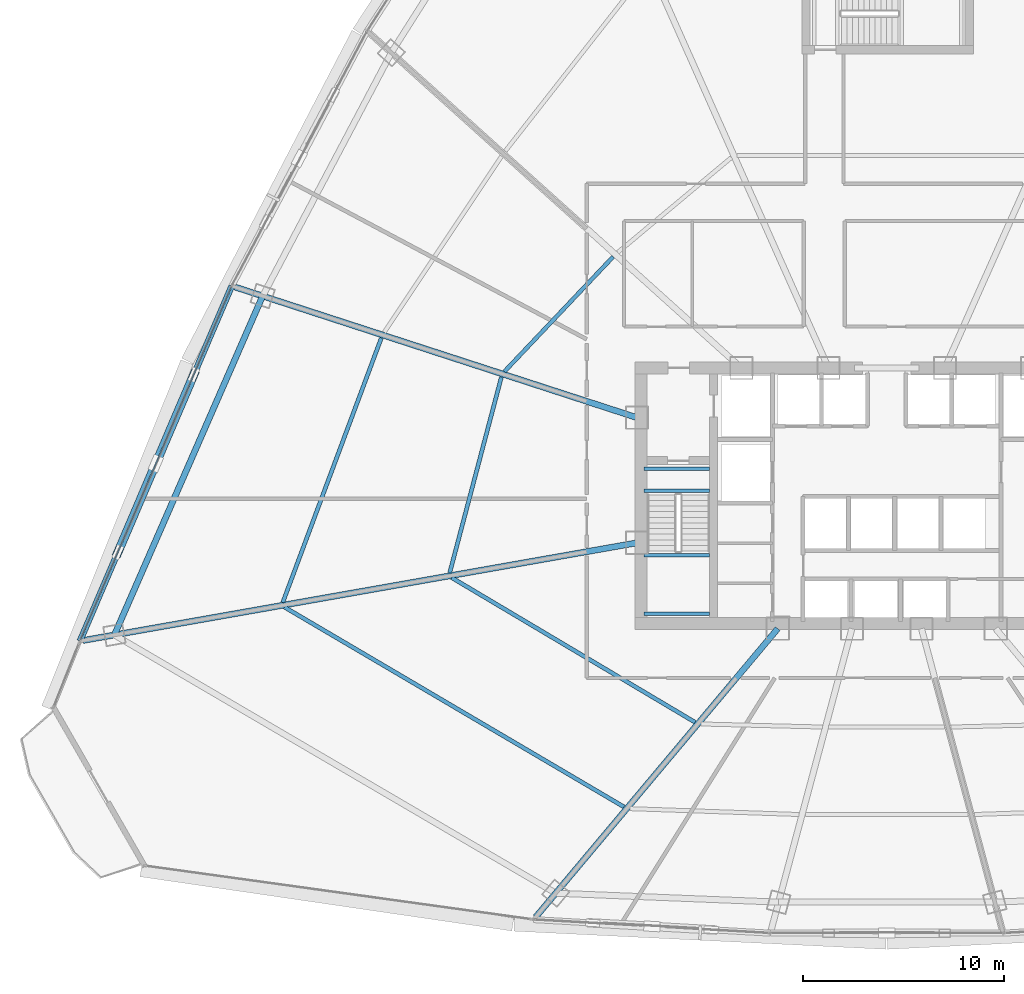
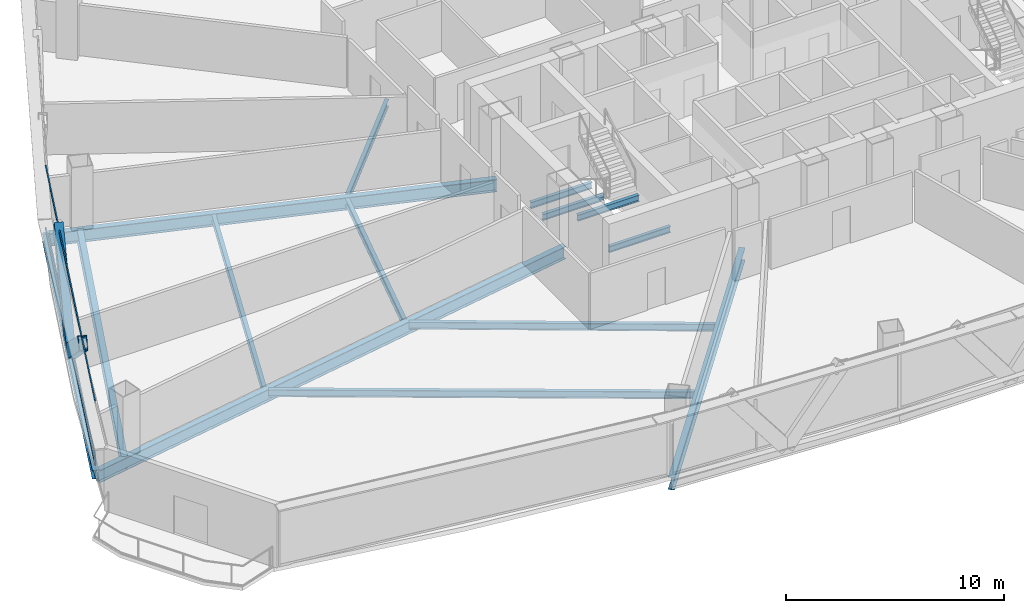
# One storey, part 7 of 36: 14 beams, 4 members, 1 element without a shape of its own.
"""IFC4 building model written with IfcOpenShell, lengths in metres."""

from ifc_helpers import new_model, si_unit, direction, frame, origin, origin_2d, place, context, subcontext, project, spatial, hollow_rectangle, i_section, extrude, source, transform, mapped, material, layer, layer_set, material_profile, profile_set, type_object, element, aggregate, save


model = new_model("IFC4")

# Units and contexts
model_context = context("Model", 3, precision=1e-05, world=origin(), true_north=direction((0.0, 1.0)))
body_context = subcontext(model_context, "Body", "Model", "MODEL_VIEW")
ifc_project = project(units=[si_unit("LENGTHUNIT", "METRE"), si_unit("AREAUNIT", "SQUARE_METRE"), si_unit("VOLUMEUNIT", "CUBIC_METRE"), si_unit("PLANEANGLEUNIT", "RADIAN"), si_unit("MASSUNIT", "GRAM", prefix="KILO"), si_unit("THERMODYNAMICTEMPERATUREUNIT", "KELVIN"), si_unit("POWERUNIT", "WATT")], contexts=[model_context])

# Site, building, storey
site_placement = place(None, origin())
site = spatial("IfcSite", under=ifc_project, at=site_placement, CompositionType="ELEMENT")
building_placement = place(site_placement, origin())
building = spatial("IfcBuilding", under=site, at=building_placement, Name="Yunzhuo Pagoda Commons", CompositionType="ELEMENT")
storey_placement = place(building_placement, frame((0.0, 0.0, 103.97998046875)))
storey = spatial("IfcBuildingStorey", under=building, at=storey_placement, Name="L26", CompositionType="ELEMENT", Elevation=103.97998046875)

# Beams
ifc_material_1 = material(Name="Structural steel Q355B", Category="steel")
ifc_material_profile_1 = material_profile(ifc_material_1, i_section(OverallWidth=0.175048828125, OverallDepth=0.35009765625, WebThickness=0.007080078125, FlangeThickness=0.010986328125, at=origin_2d()), Name="Structural steel Q355B")
ifc_profile_set_1 = profile_set([ifc_material_profile_1], Name="Structural steel Q355B")
beam_type_1 = type_object("IfcBeamType", Name="B-JS2 Joist HN 350x175x7x11", PredefinedType="JOIST", material=ifc_profile_set_1)
shared_shape_1 = source(origin(), body_context, "Body", "SweptSolid", [
    extrude(i_section(OverallWidth=0.175048828125, OverallDepth=0.35009765625, WebThickness=0.007080078125, FlangeThickness=0.010986328125, at=origin_2d()), origin(), (0.0, 0.0, 1.0), 3.25),
])
for number, where, z_axis, x_axis, name in (
    (1, (35.949951171875, 28.0, 1.52490234375), (1.0, 0.0, 0.0), (0.0, 1.0, 0.0), "L26 ST1 landing support beam 32A"),
    (2, (35.949951171875, 30.89990234375, 1.52490234375), (1.0, 0.0, 0.0), (0.0, 1.0, 0.0), "L26 ST1 landing support beam 32B"),
    (3, (35.949951171875, 34.10009765625, -0.374755859375), (1.0, 0.0, 0.0), (0.0, 1.0, 0.0), "L26 ST1 landing support beam 130A"),
    (4, (35.949951171875, 35.199951171875, -0.374755859375), (1.0, 0.0, 0.0), (0.0, 1.0, 0.0), "L26 ST1 landing support beam 130B"),
):
    element("IfcBeam", number, at=place(storey_placement, frame(where, z_axis=z_axis, x_axis=x_axis)), inside=storey, type_object=beam_type_1, Name=name, PredefinedType="JOIST", context=body_context, shape_type="MappedRepresentation", body=[
        mapped(shared_shape_1, transform((0.0, 0.0, 0.0), scale=1.0)),
    ])
ifc_material_profile_2 = material_profile(ifc_material_1, i_section(OverallWidth=0.300048828125, OverallDepth=0.699951171875, WebThickness=0.012939453125, FlangeThickness=0.02392578125, at=origin_2d()), Name="Structural steel Q355B")
ifc_profile_set_2 = profile_set([ifc_material_profile_2], Name="Structural steel Q355B")
beam_type_2 = type_object("IfcBeamType", Name="B-RG1 Beam HN 700x300x13x24", PredefinedType="BEAM", material=ifc_profile_set_2)
shared_shape_2 = source(origin(), body_context, "Body", "SweptSolid", [
    extrude(i_section(OverallWidth=0.300048828125, OverallDepth=0.699951171875, WebThickness=0.012939453125, FlangeThickness=0.02392578125, at=origin_2d()), origin(), (0.0, 0.0, 1.0), 18.37158203125),
])
beam_1_placement = place(storey_placement, frame((17.00927734375, 43.76953125, -0.60986328125), z_axis=(-0.400729599795, -0.916196369698, 0.0), x_axis=(0.916196369698, -0.400729599795, 0.0)))
element("IfcBeam", 5, at=beam_1_placement, inside=storey, type_object=beam_type_2, Name="L26 column-ring beam 11", PredefinedType="BEAM", context=body_context, shape_type="MappedRepresentation", body=[
    mapped(shared_shape_2, transform((0.0, 0.0, 0.0), scale=1.0)),
])
ifc_material_profile_3 = material_profile(ifc_material_1, i_section(OverallWidth=0.199951171875, OverallDepth=0.39990234375, WebThickness=0.008056640625, FlangeThickness=0.012939453125, at=origin_2d()), Name="Structural steel Q355B")
ifc_profile_set_3 = profile_set([ifc_material_profile_3], Name="Structural steel Q355B")
beam_type_3 = type_object("IfcBeamType", Name="B-JS1 Joist HN 400x200x8x13", PredefinedType="JOIST", material=ifc_profile_set_3)
shared_shape_3 = source(origin(), body_context, "Body", "SweptSolid", [
    extrude(i_section(OverallWidth=0.199951171875, OverallDepth=0.39990234375, WebThickness=0.008056640625, FlangeThickness=0.012939453125, at=origin_2d()), origin(), (0.0, 0.0, 1.0), 14.061767578125),
])
beam_2_placement = place(storey_placement, frame((26.393798828125, 29.784912109375, -0.459716796875), z_axis=(0.859683443923, -0.510827149088, 0.0), x_axis=(0.510827149088, 0.859683443923, 0.0)))
element("IfcBeam", 6, at=beam_2_placement, inside=storey, type_object=beam_type_3, Name="L26 composite ring joist 1.12", PredefinedType="JOIST", context=body_context, shape_type="MappedRepresentation", body=[
    mapped(shared_shape_3, transform((0.0, 0.0, 0.0), scale=1.0)),
])
shared_shape_4 = source(origin(), body_context, "Body", "SweptSolid", [
    extrude(i_section(OverallWidth=0.199951171875, OverallDepth=0.39990234375, WebThickness=0.008056640625, FlangeThickness=0.012939453125, at=origin_2d()), origin(), (0.0, 0.0, 1.0), 19.568603515625),
])
beam_3_placement = place(storey_placement, frame((18.089111328125, 28.321044921875, -0.459716796875), z_axis=(0.861862685393, -0.50714170754, 0.0), x_axis=(0.50714170754, 0.861862685393, 0.0)))
element("IfcBeam", 7, at=beam_3_placement, inside=storey, type_object=beam_type_3, Name="L26 composite ring joist 2.12", PredefinedType="JOIST", context=body_context, shape_type="MappedRepresentation", body=[
    mapped(shared_shape_4, transform((0.0, 0.0, 0.0), scale=1.0)),
])
shared_shape_5 = source(origin(), body_context, "Body", "SweptSolid", [
    extrude(i_section(OverallWidth=0.199951171875, OverallDepth=0.39990234375, WebThickness=0.008056640625, FlangeThickness=0.012939453125, at=origin_2d()), origin(), (0.0, 0.0, 1.0), 10.0634765625),
])
beam_4_placement = place(storey_placement, frame((28.86669921875, 39.749755859375, -0.459716796875), z_axis=(-0.255289713136, -0.966864603948, 0.0), x_axis=(0.966864603948, -0.255289713136, 0.0)))
element("IfcBeam", 8, at=beam_4_placement, inside=storey, type_object=beam_type_3, Name="L26 composite ring joist 1.11", PredefinedType="JOIST", context=body_context, shape_type="MappedRepresentation", body=[
    mapped(shared_shape_5, transform((0.0, 0.0, 0.0), scale=1.0)),
])
shared_shape_6 = source(origin(), body_context, "Body", "SweptSolid", [
    extrude(i_section(OverallWidth=0.199951171875, OverallDepth=0.39990234375, WebThickness=0.008056640625, FlangeThickness=0.012939453125, at=origin_2d()), origin(), (0.0, 0.0, 1.0), 7.85009765625),
])
beam_5_placement = place(storey_placement, frame((34.41357421875, 45.719482421875, -0.459716796875), z_axis=(-0.687513423145, -0.726171669095, 0.0), x_axis=(0.726171669095, -0.687513423145, 0.0)))
element("IfcBeam", 9, at=beam_5_placement, inside=storey, type_object=beam_type_3, Name="L26 composite ring joist 1.10", PredefinedType="JOIST", context=body_context, shape_type="MappedRepresentation", body=[
    mapped(shared_shape_6, transform((0.0, 0.0, 0.0), scale=1.0)),
])
shared_shape_7 = source(origin(), body_context, "Body", "SweptSolid", [
    extrude(i_section(OverallWidth=0.199951171875, OverallDepth=0.39990234375, WebThickness=0.008056640625, FlangeThickness=0.012939453125, at=origin_2d()), origin(), (0.0, 0.0, 1.0), 14.018798828125),
])
beam_6_placement = place(storey_placement, frame((22.902587890625, 41.6875, -0.459716796875), z_axis=(-0.349137809065, -0.937071390173, 0.0), x_axis=(0.937071390173, -0.349137809065, 0.0)))
element("IfcBeam", 10, at=beam_6_placement, inside=storey, type_object=beam_type_3, Name="L26 composite ring joist 2.11", PredefinedType="JOIST", context=body_context, shape_type="MappedRepresentation", body=[
    mapped(shared_shape_7, transform((0.0, 0.0, 0.0), scale=1.0)),
])
shared_shape_8 = source(origin(), body_context, "Body", "SweptSolid", [
    extrude(i_section(OverallWidth=0.300048828125, OverallDepth=0.699951171875, WebThickness=0.012939453125, FlangeThickness=0.02392578125, at=origin_2d()), origin(), (0.0, 0.0, 1.0), 18.70703125),
])
beam_7_placement = place(storey_placement, frame((30.563232421875, 12.919677734375, -0.60986328125), z_axis=(0.642790435283, 0.766042072154, 0.0), x_axis=(-0.766042072154, 0.642790435283, 0.0)))
element("IfcBeam", 11, at=beam_7_placement, inside=storey, type_object=beam_type_2, Name="L26 radial floor girder F1C1", PredefinedType="BEAM", context=body_context, shape_type="MappedRepresentation", body=[
    mapped(shared_shape_8, transform((0.0, 0.0, 0.0), scale=1.0)),
])
shared_shape_9 = source(origin(), body_context, "Body", "SweptSolid", [
    extrude(i_section(OverallWidth=0.300048828125, OverallDepth=0.699951171875, WebThickness=0.012939453125, FlangeThickness=0.02392578125, at=origin_2d()), origin(), (0.0, 0.0, 1.0), 27.9365234375),
])
beam_8_placement = place(storey_placement, frame((8.087890625, 26.66259765625, -0.60986328125), z_axis=(0.984809677022, 0.173637265709, 0.0), x_axis=(-0.173637265709, 0.984809677022, 0.0)))
element("IfcBeam", 12, at=beam_8_placement, inside=storey, type_object=beam_type_2, Name="L26 radial floor girder F3C4", PredefinedType="BEAM", context=body_context, shape_type="MappedRepresentation", body=[
    mapped(shared_shape_9, transform((0.0, 0.0, 0.0), scale=1.0)),
])
shared_shape_10 = source(origin(), body_context, "Body", "SweptSolid", [
    extrude(i_section(OverallWidth=0.300048828125, OverallDepth=0.699951171875, WebThickness=0.012939453125, FlangeThickness=0.02392578125, at=origin_2d()), origin(), (0.0, 0.0, 1.0), 21.0078125),
])
beam_9_placement = place(storey_placement, frame((15.620361328125, 44.220703125, -0.60986328125), z_axis=(0.951058064092, -0.309012230705, 0.0), x_axis=(0.309012230705, 0.951058064092, 0.0)))
element("IfcBeam", 13, at=beam_9_placement, inside=storey, type_object=beam_type_2, Name="L26 radial floor girder F3C3", PredefinedType="BEAM", context=body_context, shape_type="MappedRepresentation", body=[
    mapped(shared_shape_10, transform((0.0, 0.0, 0.0), scale=1.0)),
])
ifc_material_profile_4 = material_profile(ifc_material_1, i_section(OverallWidth=0.300048828125, OverallDepth=0.488037109375, WebThickness=0.010986328125, FlangeThickness=0.01806640625, at=origin_2d()), Name="Structural steel Q355B")
ifc_profile_set_4 = profile_set([ifc_material_profile_4], Name="Structural steel Q355B")
beam_type_4 = type_object("IfcBeamType", Name="B-SP1 Beam HM 488x300x11x18", PredefinedType="BEAM", material=ifc_profile_set_4)
shared_shape_11 = source(origin(), body_context, "Body", "SweptSolid", [
    extrude(i_section(OverallWidth=0.300048828125, OverallDepth=0.488037109375, WebThickness=0.010986328125, FlangeThickness=0.01806640625, at=origin_2d()), origin(), (0.0, 0.0, 1.0), 19.1767578125),
])
beam_10_placement = place(storey_placement, frame((15.472900390625, 44.268798828125, -0.50390625), z_axis=(-0.39305868206, -0.91951338895, 0.0), x_axis=(0.91951338895, -0.39305868206, 0.0)))
element("IfcBeam", 14, at=beam_10_placement, inside=storey, type_object=beam_type_4, Name="L26 facade edge spandrel beam F3.3", PredefinedType="BEAM", context=body_context, shape_type="MappedRepresentation", body=[
    mapped(shared_shape_11, transform((0.0, 0.0, 0.0), scale=1.0)),
])

# Members
ifc_material_2 = material(Name="Structural steel Q420B", Category="steel")
ifc_material_profile_5 = material_profile(ifc_material_2, hollow_rectangle(XDim=0.419921875, YDim=0.719970703125, WallThickness=0.028076171875, at=origin_2d()), Name="Structural steel Q420B")
ifc_profile_set_5 = profile_set([ifc_material_profile_5], Name="Structural steel Q420B")
member_type_1 = type_object("IfcMemberType", Name="M-DL1 Brace BOX 720x420x28", PredefinedType="BRACE", material=ifc_profile_set_5)
shared_shape_12 = source(origin(), body_context, "Body", "SweptSolid", [
    extrude(hollow_rectangle(XDim=0.419921875, YDim=0.719970703125, WallThickness=0.028076171875, at=origin_2d()), origin(), (0.0, 0.0, 1.0), 6.117919921875),
])
member_1_placement = place(storey_placement, frame((11.7041015625, 35.4521484375, -0.260009765625), z_axis=(-0.308036700249, -0.720587990206, 0.62118140641), x_axis=(0.919508120229, -0.393071007368, 0.0)))
element("IfcMember", 15, at=member_1_placement, inside=storey, type_object=member_type_1, Name="L26 facade diamond brace F3.3R", PredefinedType="BRACE", context=body_context, shape_type="MappedRepresentation", body=[
    mapped(shared_shape_12, transform((0.0, 0.0, 0.0), scale=1.0)),
])
shared_shape_13 = source(origin(), body_context, "Body", "SweptSolid", [
    extrude(hollow_rectangle(XDim=0.419921875, YDim=0.719970703125, WallThickness=0.028076171875, at=origin_2d()), origin(), (0.0, 0.0, 1.0), 6.11767578125),
])
member_2_placement = place(storey_placement, frame((11.7041015625, 35.4521484375, -0.260009765625), z_axis=(0.308009437079, 0.720577662075, 0.621206905619), x_axis=(-0.919518657857, 0.393046355856, 0.0)))
element("IfcMember", 16, at=member_2_placement, inside=storey, type_object=member_type_1, Name="L26 facade diamond brace F3.3L", PredefinedType="BRACE", context=body_context, shape_type="MappedRepresentation", body=[
    mapped(shared_shape_13, transform((0.0, 0.0, 0.0), scale=1.0)),
])

# Curtain wall, members
ifc_material_3 = material(Name="Anodized aluminium 6063-T6", Category="aluminium")
ifc_layer = layer(ifc_material_3, 0.1650390625)
ifc_layer_set = layer_set([ifc_layer], Name="Anodized aluminium 6063-T6")
curtain_wall_type = type_object("IfcCurtainWallType", Name="CW-LOW Low-Zone Ribbon Curtain Wall", PredefinedType="NOTDEFINED", material=ifc_layer_set)
curtain_wall_placement = place(storey_placement, origin())
curtain_wall = element("IfcCurtainWall", 17, at=curtain_wall_placement, inside=storey, type_object=curtain_wall_type, Name="L26 curtain wall CW-L26-F3B4", PredefinedType="NOTDEFINED")
ifc_material_profile_6 = material_profile(ifc_material_3, hollow_rectangle(XDim=0.06005859375, YDim=0.139892578125, WallThickness=0.00341796875, at=origin_2d()), Name="Anodized aluminium 6063-T6")
ifc_profile_set_6 = profile_set([ifc_material_profile_6], Name="Anodized aluminium 6063-T6")
member_type_2 = type_object("IfcMemberType", Name="CW-LOW-T Transom RHS 140x60x3.5", PredefinedType="USERDEFINED", material=ifc_profile_set_6)
shared_shape_14 = source(origin(), body_context, "Body", "SweptSolid", [
    extrude(hollow_rectangle(XDim=0.06005859375, YDim=0.139892578125, WallThickness=0.00341796875, at=origin_2d()), origin(), (0.0, 0.0, 1.0), 19.04638671875),
])
member_3_placement = place(storey_placement, frame((15.447265625, 44.208984375, 0.030029296875), z_axis=(-0.393046594754, -0.919518555741, 0.0), x_axis=(0.919518555741, -0.393046594754, 0.0)))
member_3 = element("IfcMember", 18, at=member_3_placement, type_object=member_type_2, Name="CW transom 1.1", ObjectType="TRANSOM", PredefinedType="USERDEFINED", context=body_context, shape_type="MappedRepresentation", body=[
    mapped(shared_shape_14, transform((0.0, 0.0, 0.0), scale=1.0)),
])
member_4_placement = place(storey_placement, frame((15.447265625, 44.208984375, 3.510009765625), z_axis=(-0.393046594754, -0.919518555741, 0.0), x_axis=(0.919518555741, -0.393046594754, 0.0)))
member_4 = element("IfcMember", 19, at=member_4_placement, type_object=member_type_2, Name="CW transom 1.2", ObjectType="TRANSOM", PredefinedType="USERDEFINED", context=body_context, shape_type="MappedRepresentation", body=[
    mapped(shared_shape_14, transform((0.0, 0.0, 0.0), scale=1.0)),
])
aggregate(curtain_wall, [member_3, member_4])

save(model, "model.ifc")
